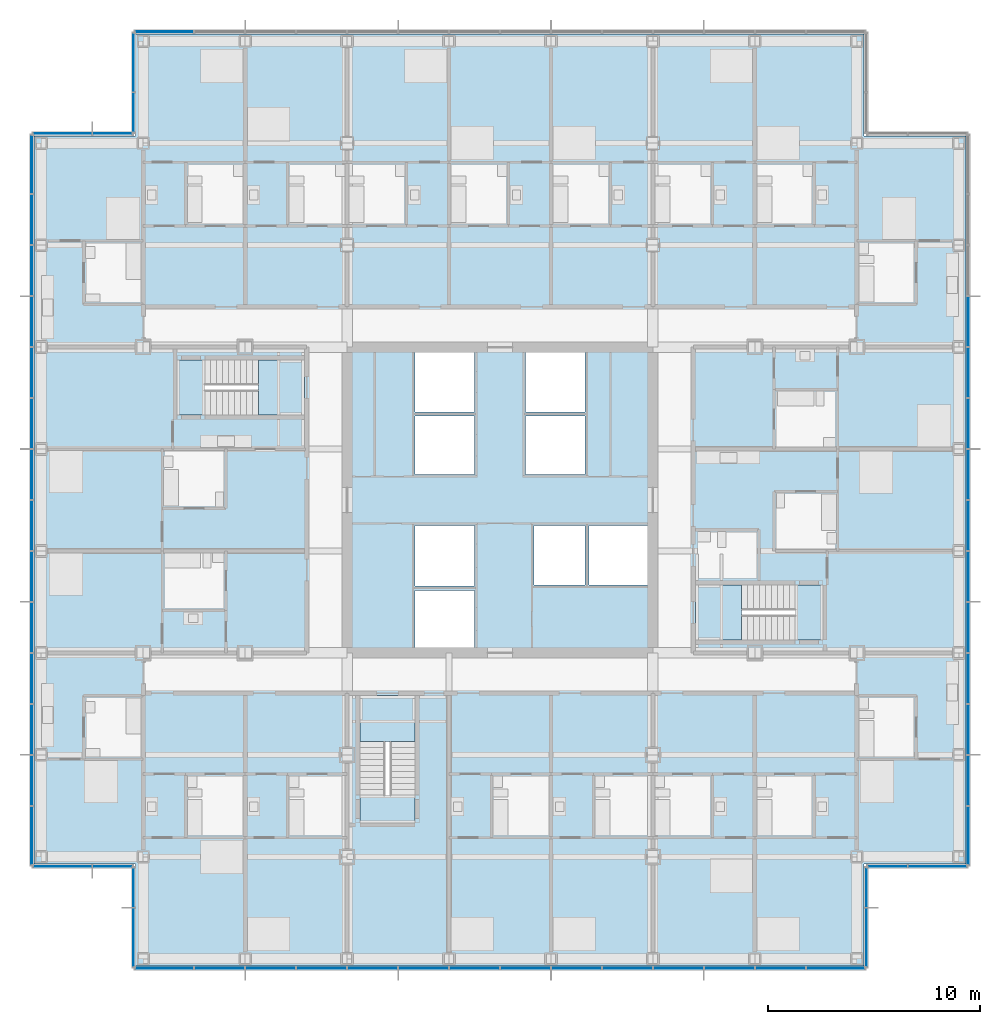
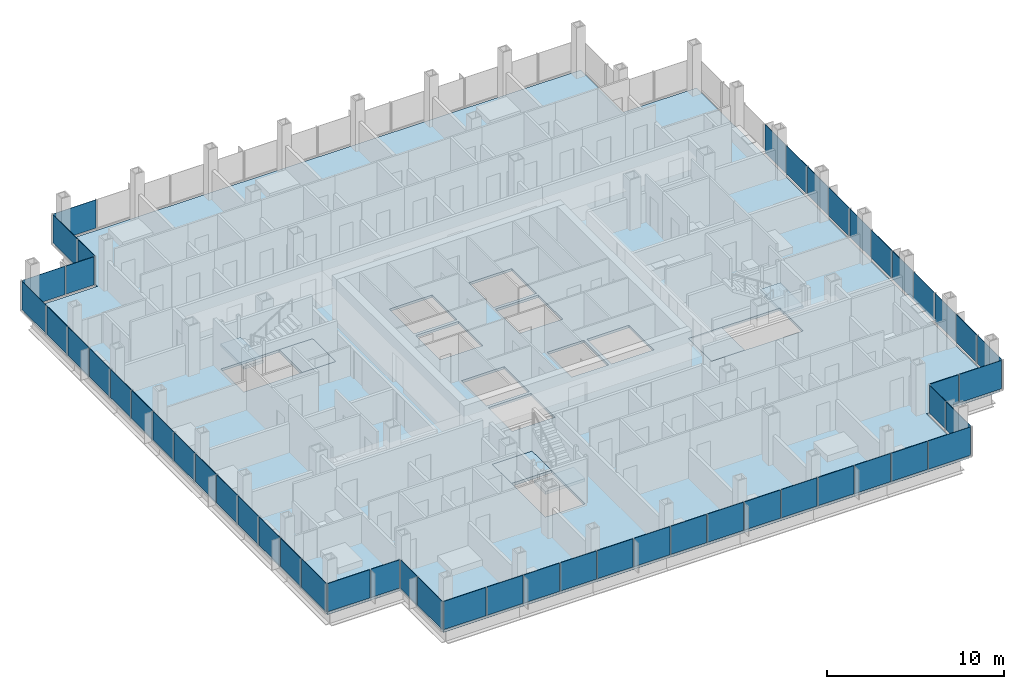
# One storey, part 12 of 22: 52 plates, 7 slabs, 13 elements without a shape of their own.
"""IFC4 building model written with IfcOpenShell, lengths in metres."""

from ifc_helpers import new_model, si_unit, direction, frame, origin, origin_2d, place, context, subcontext, project, spatial, polyline, rectangle, outline, extrude, material, layer, layer_set, type_object, element, aggregate, save


model = new_model("IFC4")

# Units and contexts
model_context = context("Model", 3, precision=1e-05, world=origin(), true_north=direction((0.0, 1.0)))
body_context = subcontext(model_context, "Body", "Model", "MODEL_VIEW")
ifc_project = project(units=[si_unit("LENGTHUNIT", "METRE"), si_unit("AREAUNIT", "SQUARE_METRE"), si_unit("VOLUMEUNIT", "CUBIC_METRE"), si_unit("PLANEANGLEUNIT", "RADIAN"), si_unit("MASSUNIT", "GRAM", prefix="KILO")], contexts=[model_context])

# Site, building, storey
site_placement = place(None, origin())
site = spatial("IfcSite", under=ifc_project, at=site_placement, CompositionType="ELEMENT")
building_placement = place(site_placement, origin())
building = spatial("IfcBuilding", under=site, at=building_placement, Name="Kvirike Care Tower", CompositionType="ELEMENT")
storey_placement = place(building_placement, frame((0.0, 0.0, 76.0)))
storey = spatial("IfcBuildingStorey", under=building, at=storey_placement, Name="L20", CompositionType="ELEMENT", Elevation=76.0)

# Slab
ifc_material_1 = material(Name="Concrete C35/45", Category="concrete")
ifc_layer_1 = layer(ifc_material_1, 0.169921875)
ifc_layer_set_1 = layer_set([ifc_layer_1], Name="FLOOR SLAB 170")
slab_type_1 = type_object("IfcSlabType", Name="FLOOR SLAB 170", PredefinedType="FLOOR", material=ifc_layer_set_1)
slab_1_placement = place(storey_placement, frame((0.0, 0.0, -0.169921875)))
element("IfcSlab", 1, at=slab_1_placement, inside=storey, type_object=slab_type_1, Name="Floor slab L20", PredefinedType="FLOOR", context=body_context, shape_type="SweptSolid", body=[
    extrude(outline(polyline([(-0.35009765625, 53.14990234375), (-0.35009765625, 18.85009765625), (4.449951171875, 18.85009765625), (4.449951171875, 14.050048828125), (38.75, 14.050048828125), (38.75, 18.85009765625), (43.550048828125, 18.85009765625), (43.550048828125, 53.14990234375), (38.75, 53.14990234375), (38.75, 57.949951171875), (4.449951171875, 57.949951171875), (4.449951171875, 53.14990234375), (-0.35009765625, 53.14990234375)]), holes=[polyline([(17.60009765625, 29.050048828125), (17.60009765625, 31.75), (20.39990234375, 31.75), (20.39990234375, 29.050048828125), (17.60009765625, 29.050048828125)]), polyline([(17.60009765625, 31.949951171875), (17.60009765625, 34.800048828125), (20.39990234375, 34.800048828125), (20.39990234375, 31.949951171875), (17.60009765625, 31.949951171875)]), polyline([(17.60009765625, 37.199951171875), (17.60009765625, 39.949951171875), (20.39990234375, 39.949951171875), (20.39990234375, 37.199951171875), (17.60009765625, 37.199951171875)]), polyline([(17.60009765625, 40.14990234375), (17.60009765625, 42.949951171875), (20.39990234375, 42.949951171875), (20.39990234375, 40.14990234375), (17.60009765625, 40.14990234375)]), polyline([(22.800048828125, 37.199951171875), (22.800048828125, 39.949951171875), (25.60009765625, 39.949951171875), (25.60009765625, 37.199951171875), (22.800048828125, 37.199951171875)]), polyline([(22.800048828125, 40.14990234375), (22.800048828125, 42.949951171875), (25.60009765625, 42.949951171875), (25.60009765625, 40.14990234375), (22.800048828125, 40.14990234375)]), polyline([(23.199951171875, 32.0), (23.199951171875, 34.800048828125), (25.60009765625, 34.800048828125), (25.60009765625, 32.0), (23.199951171875, 32.0)]), polyline([(25.800048828125, 32.0), (25.800048828125, 34.800048828125), (28.550048828125, 34.800048828125), (28.550048828125, 32.0), (25.800048828125, 32.0)]), polyline([(12.39990234375, 42.60009765625), (12.39990234375, 40.0), (6.39990234375, 40.0), (6.39990234375, 42.60009765625), (12.39990234375, 42.60009765625)]), polyline([(30.800048828125, 29.39990234375), (30.800048828125, 32.0), (36.800048828125, 32.0), (36.800048828125, 29.39990234375), (30.800048828125, 29.39990234375)]), polyline([(15.0, 26.800048828125), (17.60009765625, 26.800048828125), (17.60009765625, 20.800048828125), (15.0, 20.800048828125), (15.0, 26.800048828125)])]), origin(), (0.0, 0.0, 1.0), 0.169921875),
])

# Stair, slabs
ifc_material_2 = material(Name="Concrete C35/45", Category="concrete")
stair_type = type_object("IfcStairType", Name="STAIR 20 RISERS", PredefinedType="HALF_TURN_STAIR", material=ifc_material_2)
stair_1_placement = place(storey_placement, origin())
stair_1 = element("IfcStair", 2, at=stair_1_placement, inside=storey, type_object=stair_type, Name="Stair 1 L20", PredefinedType="HALF_TURN_STAIR")
ifc_material_3 = material(Name="Concrete C35/45", Category="concrete")
ifc_layer_2 = layer(ifc_material_3, 0.199951171875)
ifc_layer_set_2 = layer_set([ifc_layer_2], Name="STAIR LANDING 200")
slab_type_2 = type_object("IfcSlabType", Name="STAIR LANDING 200", PredefinedType="LANDING", material=ifc_layer_set_2)
slab_2_placement = place(storey_placement, frame((0.0, 0.0, -0.199951171875)))
slab_2 = element("IfcSlab", 3, at=slab_2_placement, type_object=slab_type_2, Name="Stair S1 floor landing L20", PredefinedType="LANDING", context=body_context, shape_type="SweptSolid", body=[
    extrude(outline(polyline([(10.219970703125, 42.60009765625), (10.219970703125, 40.0), (12.39990234375, 40.0), (12.39990234375, 42.60009765625), (10.219970703125, 42.60009765625)])), origin(), (0.0, 0.0, 1.0), 0.199951171875),
])
slab_3_placement = place(storey_placement, frame((0.0, 0.0, 1.550048828125)))
slab_3 = element("IfcSlab", 4, at=slab_3_placement, type_object=slab_type_2, Name="Stair S1 half landing L20-L21", PredefinedType="LANDING", context=body_context, shape_type="SweptSolid", body=[
    extrude(outline(polyline([(6.39990234375, 42.60009765625), (6.39990234375, 40.0), (7.699951171875, 40.0), (7.699951171875, 42.60009765625), (6.39990234375, 42.60009765625)])), origin(), (0.0, 0.0, 1.0), 0.199951171875),
])
aggregate(stair_1, [slab_2, slab_3])

stair_2_placement = place(storey_placement, origin())
stair_2 = element("IfcStair", 5, at=stair_2_placement, inside=storey, type_object=stair_type, Name="Stair 2 L20", PredefinedType="HALF_TURN_STAIR")
slab_4_placement = place(storey_placement, frame((0.0, 0.0, -0.199951171875)))
slab_4 = element("IfcSlab", 6, at=slab_4_placement, type_object=slab_type_2, Name="Stair S2 floor landing L20", PredefinedType="LANDING", context=body_context, shape_type="SweptSolid", body=[
    extrude(outline(polyline([(32.97998046875, 29.39990234375), (32.97998046875, 32.0), (30.800048828125, 32.0), (30.800048828125, 29.39990234375), (32.97998046875, 29.39990234375)])), origin(), (0.0, 0.0, 1.0), 0.199951171875),
])
slab_5_placement = place(storey_placement, frame((0.0, 0.0, 1.550048828125)))
slab_5 = element("IfcSlab", 7, at=slab_5_placement, type_object=slab_type_2, Name="Stair S2 half landing L20-L21", PredefinedType="LANDING", context=body_context, shape_type="SweptSolid", body=[
    extrude(outline(polyline([(36.800048828125, 29.39990234375), (36.800048828125, 32.0), (35.5, 32.0), (35.5, 29.39990234375), (36.800048828125, 29.39990234375)])), origin(), (0.0, 0.0, 1.0), 0.199951171875),
])
aggregate(stair_2, [slab_4, slab_5])

stair_3_placement = place(storey_placement, origin())
stair_3 = element("IfcStair", 8, at=stair_3_placement, inside=storey, type_object=stair_type, Name="Stair 5 L20", PredefinedType="HALF_TURN_STAIR")
slab_6_placement = place(storey_placement, frame((0.0, 0.0, -0.199951171875)))
slab_6 = element("IfcSlab", 9, at=slab_6_placement, type_object=slab_type_2, Name="Stair S5 floor landing L20", PredefinedType="LANDING", context=body_context, shape_type="SweptSolid", body=[
    extrude(outline(polyline([(15.0, 24.6201171875), (17.60009765625, 24.6201171875), (17.60009765625, 26.800048828125), (15.0, 26.800048828125), (15.0, 24.6201171875)])), origin(), (0.0, 0.0, 1.0), 0.199951171875),
])
slab_7_placement = place(storey_placement, frame((0.0, 0.0, 1.550048828125)))
slab_7 = element("IfcSlab", 10, at=slab_7_placement, type_object=slab_type_2, Name="Stair S5 half landing L20-L21", PredefinedType="LANDING", context=body_context, shape_type="SweptSolid", body=[
    extrude(outline(polyline([(15.0, 20.800048828125), (17.60009765625, 20.800048828125), (17.60009765625, 22.10009765625), (15.0, 22.10009765625), (15.0, 20.800048828125)])), origin(), (0.0, 0.0, 1.0), 0.199951171875),
])
aggregate(stair_3, [slab_6, slab_7])

# Curtain wall, plates
ifc_material_4 = material(Name="Anodised aluminium stick system", Category="aluminium")
curtain_wall_type = type_object("IfcCurtainWallType", Name="CW-A STICK CURTAIN WALL", PredefinedType="NOTDEFINED", material=ifc_material_4)
curtain_wall_1_placement = place(storey_placement, origin())
curtain_wall_1 = element("IfcCurtainWall", 11, at=curtain_wall_1_placement, inside=storey, type_object=curtain_wall_type, Name="Curtain wall L20 face 1", PredefinedType="NOTDEFINED")
ifc_material_5 = material(Name="Tinted double glazed unit", Category="glass")
ifc_layer_3 = layer(ifc_material_5, 0.031982421875)
ifc_layer_set_3 = layer_set([ifc_layer_3], Name="TINTED VISION PANEL 32")
plate_type = type_object("IfcPlateType", Name="TINTED VISION PANEL 32", PredefinedType="CURTAIN_PANEL", material=ifc_layer_set_3)
plate_1_placement = place(storey_placement, frame((-0.449951171875, 51.808837890625, 0.10009765625), z_axis=(0.0, 0.0, 1.0), x_axis=(0.0, -1.0, 0.0)))
plate_1 = element("IfcPlate", 12, at=plate_1_placement, type_object=plate_type, Name="CW-A panel L20 face 1.1", PredefinedType="CURTAIN_PANEL", context=body_context, shape_type="SweptSolid", body=[
    extrude(rectangle(XDim=2.75244140625, YDim=0.031982421875, at=origin_2d()), origin(), (0.0, 0.0, 1.0), 1.949951171875),
])
plate_2_placement = place(storey_placement, frame((-0.449951171875, 49.199951171875, 0.10009765625), z_axis=(0.0, 0.0, 1.0), x_axis=(0.0, -1.0, 0.0)))
plate_2 = element("IfcPlate", 13, at=plate_2_placement, type_object=plate_type, Name="CW-A panel L20 face 1.2", PredefinedType="CURTAIN_PANEL", context=body_context, shape_type="SweptSolid", body=[
    extrude(rectangle(XDim=2.3349609375, YDim=0.031982421875, at=origin_2d()), origin(), (0.0, 0.0, 1.0), 1.949951171875),
])
plate_3_placement = place(storey_placement, frame((-0.449951171875, 46.800048828125, 0.10009765625), z_axis=(0.0, 0.0, 1.0), x_axis=(0.0, -1.0, 0.0)))
plate_3 = element("IfcPlate", 14, at=plate_3_placement, type_object=plate_type, Name="CW-A panel L20 face 1.3", PredefinedType="CURTAIN_PANEL", context=body_context, shape_type="SweptSolid", body=[
    extrude(rectangle(XDim=2.3349609375, YDim=0.031982421875, at=origin_2d()), origin(), (0.0, 0.0, 1.0), 1.949951171875),
])
plate_4_placement = place(storey_placement, frame((-0.449951171875, 44.39990234375, 0.10009765625), z_axis=(0.0, 0.0, 1.0), x_axis=(0.0, -1.0, 0.0)))
plate_4 = element("IfcPlate", 15, at=plate_4_placement, type_object=plate_type, Name="CW-A panel L20 face 1.4", PredefinedType="CURTAIN_PANEL", context=body_context, shape_type="SweptSolid", body=[
    extrude(rectangle(XDim=2.3349609375, YDim=0.031982421875, at=origin_2d()), origin(), (0.0, 0.0, 1.0), 1.949951171875),
])
plate_5_placement = place(storey_placement, frame((-0.449951171875, 42.0, 0.10009765625), z_axis=(0.0, 0.0, 1.0), x_axis=(0.0, -1.0, 0.0)))
plate_5 = element("IfcPlate", 16, at=plate_5_placement, type_object=plate_type, Name="CW-A panel L20 face 1.5", PredefinedType="CURTAIN_PANEL", context=body_context, shape_type="SweptSolid", body=[
    extrude(rectangle(XDim=2.3349609375, YDim=0.031982421875, at=origin_2d()), origin(), (0.0, 0.0, 1.0), 1.949951171875),
])
plate_6_placement = place(storey_placement, frame((-0.449951171875, 39.60009765625, 0.10009765625), z_axis=(0.0, 0.0, 1.0), x_axis=(0.0, -1.0, 0.0)))
plate_6 = element("IfcPlate", 17, at=plate_6_placement, type_object=plate_type, Name="CW-A panel L20 face 1.6", PredefinedType="CURTAIN_PANEL", context=body_context, shape_type="SweptSolid", body=[
    extrude(rectangle(XDim=2.3349609375, YDim=0.031982421875, at=origin_2d()), origin(), (0.0, 0.0, 1.0), 1.949951171875),
])
plate_7_placement = place(storey_placement, frame((-0.449951171875, 37.199951171875, 0.10009765625), z_axis=(0.0, 0.0, 1.0), x_axis=(0.0, -1.0, 0.0)))
plate_7 = element("IfcPlate", 18, at=plate_7_placement, type_object=plate_type, Name="CW-A panel L20 face 1.7", PredefinedType="CURTAIN_PANEL", context=body_context, shape_type="SweptSolid", body=[
    extrude(rectangle(XDim=2.3349609375, YDim=0.031982421875, at=origin_2d()), origin(), (0.0, 0.0, 1.0), 1.949951171875),
])
plate_8_placement = place(storey_placement, frame((-0.449951171875, 34.800048828125, 0.10009765625), z_axis=(0.0, 0.0, 1.0), x_axis=(0.0, -1.0, 0.0)))
plate_8 = element("IfcPlate", 19, at=plate_8_placement, type_object=plate_type, Name="CW-A panel L20 face 1.8", PredefinedType="CURTAIN_PANEL", context=body_context, shape_type="SweptSolid", body=[
    extrude(rectangle(XDim=2.3349609375, YDim=0.031982421875, at=origin_2d()), origin(), (0.0, 0.0, 1.0), 1.949951171875),
])
plate_9_placement = place(storey_placement, frame((-0.449951171875, 32.39990234375, 0.10009765625), z_axis=(0.0, 0.0, 1.0), x_axis=(0.0, -1.0, 0.0)))
plate_9 = element("IfcPlate", 20, at=plate_9_placement, type_object=plate_type, Name="CW-A panel L20 face 1.9", PredefinedType="CURTAIN_PANEL", context=body_context, shape_type="SweptSolid", body=[
    extrude(rectangle(XDim=2.3349609375, YDim=0.031982421875, at=origin_2d()), origin(), (0.0, 0.0, 1.0), 1.949951171875),
])
plate_10_placement = place(storey_placement, frame((-0.449951171875, 30.0, 0.10009765625), z_axis=(0.0, 0.0, 1.0), x_axis=(0.0, -1.0, 0.0)))
plate_10 = element("IfcPlate", 21, at=plate_10_placement, type_object=plate_type, Name="CW-A panel L20 face 1.10", PredefinedType="CURTAIN_PANEL", context=body_context, shape_type="SweptSolid", body=[
    extrude(rectangle(XDim=2.3349609375, YDim=0.031982421875, at=origin_2d()), origin(), (0.0, 0.0, 1.0), 1.949951171875),
])
plate_11_placement = place(storey_placement, frame((-0.449951171875, 27.60009765625, 0.10009765625), z_axis=(0.0, 0.0, 1.0), x_axis=(0.0, -1.0, 0.0)))
plate_11 = element("IfcPlate", 22, at=plate_11_placement, type_object=plate_type, Name="CW-A panel L20 face 1.11", PredefinedType="CURTAIN_PANEL", context=body_context, shape_type="SweptSolid", body=[
    extrude(rectangle(XDim=2.3349609375, YDim=0.031982421875, at=origin_2d()), origin(), (0.0, 0.0, 1.0), 1.949951171875),
])
plate_12_placement = place(storey_placement, frame((-0.449951171875, 25.199951171875, 0.10009765625), z_axis=(0.0, 0.0, 1.0), x_axis=(0.0, -1.0, 0.0)))
plate_12 = element("IfcPlate", 23, at=plate_12_placement, type_object=plate_type, Name="CW-A panel L20 face 1.12", PredefinedType="CURTAIN_PANEL", context=body_context, shape_type="SweptSolid", body=[
    extrude(rectangle(XDim=2.3349609375, YDim=0.031982421875, at=origin_2d()), origin(), (0.0, 0.0, 1.0), 1.949951171875),
])
plate_13_placement = place(storey_placement, frame((-0.449951171875, 22.800048828125, 0.10009765625), z_axis=(0.0, 0.0, 1.0), x_axis=(0.0, -1.0, 0.0)))
plate_13 = element("IfcPlate", 24, at=plate_13_placement, type_object=plate_type, Name="CW-A panel L20 face 1.13", PredefinedType="CURTAIN_PANEL", context=body_context, shape_type="SweptSolid", body=[
    extrude(rectangle(XDim=2.3349609375, YDim=0.031982421875, at=origin_2d()), origin(), (0.0, 0.0, 1.0), 1.949951171875),
])
plate_14_placement = place(storey_placement, frame((-0.449951171875, 20.191162109375, 0.10009765625), z_axis=(0.0, 0.0, 1.0), x_axis=(0.0, -1.0, 0.0)))
plate_14 = element("IfcPlate", 25, at=plate_14_placement, type_object=plate_type, Name="CW-A panel L20 face 1.14", PredefinedType="CURTAIN_PANEL", context=body_context, shape_type="SweptSolid", body=[
    extrude(rectangle(XDim=2.75244140625, YDim=0.031982421875, at=origin_2d()), origin(), (0.0, 0.0, 1.0), 1.949951171875),
])
aggregate(curtain_wall_1, [plate_1, plate_2, plate_3, plate_4, plate_5, plate_6, plate_7, plate_8, plate_9, plate_10, plate_11, plate_12, plate_13, plate_14])

curtain_wall_2_placement = place(storey_placement, origin())
curtain_wall_2 = element("IfcCurtainWall", 26, at=curtain_wall_2_placement, inside=storey, type_object=curtain_wall_type, Name="Curtain wall L20 face 2", PredefinedType="NOTDEFINED")
plate_15_placement = place(storey_placement, frame((0.9912109375, 18.75, 0.10009765625), z_axis=(0.0, 0.0, 1.0), x_axis=(1.0, 0.0, 0.0)))
plate_15 = element("IfcPlate", 27, at=plate_15_placement, type_object=plate_type, Name="CW-A panel L20 face 2.1", PredefinedType="CURTAIN_PANEL", context=body_context, shape_type="SweptSolid", body=[
    extrude(rectangle(XDim=2.75244140625, YDim=0.031982421875, at=origin_2d()), origin(), (0.0, 0.0, 1.0), 1.949951171875),
])
plate_16_placement = place(storey_placement, frame((3.358642578125, 18.75, 0.10009765625), z_axis=(0.0, 0.0, 1.0), x_axis=(1.0, 0.0, 0.0)))
plate_16 = element("IfcPlate", 28, at=plate_16_placement, type_object=plate_type, Name="CW-A panel L20 face 2.2", PredefinedType="CURTAIN_PANEL", context=body_context, shape_type="SweptSolid", body=[
    extrude(rectangle(XDim=1.8525390625, YDim=0.031982421875, at=origin_2d()), origin(), (0.0, 0.0, 1.0), 1.949951171875),
])
aggregate(curtain_wall_2, [plate_15, plate_16])

curtain_wall_3_placement = place(storey_placement, origin())
curtain_wall_3 = element("IfcCurtainWall", 29, at=curtain_wall_3_placement, inside=storey, type_object=curtain_wall_type, Name="Curtain wall L20 face 3", PredefinedType="NOTDEFINED")
plate_17_placement = place(storey_placement, frame((4.35009765625, 17.7587890625, 0.10009765625), z_axis=(0.0, 0.0, 1.0), x_axis=(0.0, -1.0, 0.0)))
plate_17 = element("IfcPlate", 30, at=plate_17_placement, type_object=plate_type, Name="CW-A panel L20 face 3.1", PredefinedType="CURTAIN_PANEL", context=body_context, shape_type="SweptSolid", body=[
    extrude(rectangle(XDim=1.8525390625, YDim=0.031982421875, at=origin_2d()), origin(), (0.0, 0.0, 1.0), 1.949951171875),
])
plate_18_placement = place(storey_placement, frame((4.35009765625, 15.391357421875, 0.10009765625), z_axis=(0.0, 0.0, 1.0), x_axis=(0.0, -1.0, 0.0)))
plate_18 = element("IfcPlate", 31, at=plate_18_placement, type_object=plate_type, Name="CW-A panel L20 face 3.2", PredefinedType="CURTAIN_PANEL", context=body_context, shape_type="SweptSolid", body=[
    extrude(rectangle(XDim=2.75244140625, YDim=0.031982421875, at=origin_2d()), origin(), (0.0, 0.0, 1.0), 1.949951171875),
])
aggregate(curtain_wall_3, [plate_17, plate_18])

curtain_wall_4_placement = place(storey_placement, origin())
curtain_wall_4 = element("IfcCurtainWall", 32, at=curtain_wall_4_placement, inside=storey, type_object=curtain_wall_type, Name="Curtain wall L20 face 4", PredefinedType="NOTDEFINED")
plate_19_placement = place(storey_placement, frame((5.791259765625, 13.949951171875, 0.10009765625), z_axis=(0.0, 0.0, 1.0), x_axis=(1.0, 0.0, 0.0)))
plate_19 = element("IfcPlate", 33, at=plate_19_placement, type_object=plate_type, Name="CW-A panel L20 face 4.1", PredefinedType="CURTAIN_PANEL", context=body_context, shape_type="SweptSolid", body=[
    extrude(rectangle(XDim=2.75244140625, YDim=0.031982421875, at=origin_2d()), origin(), (0.0, 0.0, 1.0), 1.949951171875),
])
plate_20_placement = place(storey_placement, frame((8.39990234375, 13.949951171875, 0.10009765625), z_axis=(0.0, 0.0, 1.0), x_axis=(1.0, 0.0, 0.0)))
plate_20 = element("IfcPlate", 34, at=plate_20_placement, type_object=plate_type, Name="CW-A panel L20 face 4.2", PredefinedType="CURTAIN_PANEL", context=body_context, shape_type="SweptSolid", body=[
    extrude(rectangle(XDim=2.3349609375, YDim=0.031982421875, at=origin_2d()), origin(), (0.0, 0.0, 1.0), 1.949951171875),
])
plate_21_placement = place(storey_placement, frame((10.800048828125, 13.949951171875, 0.10009765625), z_axis=(0.0, 0.0, 1.0), x_axis=(1.0, 0.0, 0.0)))
plate_21 = element("IfcPlate", 35, at=plate_21_placement, type_object=plate_type, Name="CW-A panel L20 face 4.3", PredefinedType="CURTAIN_PANEL", context=body_context, shape_type="SweptSolid", body=[
    extrude(rectangle(XDim=2.3349609375, YDim=0.031982421875, at=origin_2d()), origin(), (0.0, 0.0, 1.0), 1.949951171875),
])
plate_22_placement = place(storey_placement, frame((13.199951171875, 13.949951171875, 0.10009765625), z_axis=(0.0, 0.0, 1.0), x_axis=(1.0, 0.0, 0.0)))
plate_22 = element("IfcPlate", 36, at=plate_22_placement, type_object=plate_type, Name="CW-A panel L20 face 4.4", PredefinedType="CURTAIN_PANEL", context=body_context, shape_type="SweptSolid", body=[
    extrude(rectangle(XDim=2.3349609375, YDim=0.031982421875, at=origin_2d()), origin(), (0.0, 0.0, 1.0), 1.949951171875),
])
plate_23_placement = place(storey_placement, frame((15.60009765625, 13.949951171875, 0.10009765625), z_axis=(0.0, 0.0, 1.0), x_axis=(1.0, 0.0, 0.0)))
plate_23 = element("IfcPlate", 37, at=plate_23_placement, type_object=plate_type, Name="CW-A panel L20 face 4.5", PredefinedType="CURTAIN_PANEL", context=body_context, shape_type="SweptSolid", body=[
    extrude(rectangle(XDim=2.3349609375, YDim=0.031982421875, at=origin_2d()), origin(), (0.0, 0.0, 1.0), 1.949951171875),
])
plate_24_placement = place(storey_placement, frame((18.0, 13.949951171875, 0.10009765625), z_axis=(0.0, 0.0, 1.0), x_axis=(1.0, 0.0, 0.0)))
plate_24 = element("IfcPlate", 38, at=plate_24_placement, type_object=plate_type, Name="CW-A panel L20 face 4.6", PredefinedType="CURTAIN_PANEL", context=body_context, shape_type="SweptSolid", body=[
    extrude(rectangle(XDim=2.3349609375, YDim=0.031982421875, at=origin_2d()), origin(), (0.0, 0.0, 1.0), 1.949951171875),
])
plate_25_placement = place(storey_placement, frame((20.39990234375, 13.949951171875, 0.10009765625), z_axis=(0.0, 0.0, 1.0), x_axis=(1.0, 0.0, 0.0)))
plate_25 = element("IfcPlate", 39, at=plate_25_placement, type_object=plate_type, Name="CW-A panel L20 face 4.7", PredefinedType="CURTAIN_PANEL", context=body_context, shape_type="SweptSolid", body=[
    extrude(rectangle(XDim=2.3349609375, YDim=0.031982421875, at=origin_2d()), origin(), (0.0, 0.0, 1.0), 1.949951171875),
])
plate_26_placement = place(storey_placement, frame((22.800048828125, 13.949951171875, 0.10009765625), z_axis=(0.0, 0.0, 1.0), x_axis=(1.0, 0.0, 0.0)))
plate_26 = element("IfcPlate", 40, at=plate_26_placement, type_object=plate_type, Name="CW-A panel L20 face 4.8", PredefinedType="CURTAIN_PANEL", context=body_context, shape_type="SweptSolid", body=[
    extrude(rectangle(XDim=2.3349609375, YDim=0.031982421875, at=origin_2d()), origin(), (0.0, 0.0, 1.0), 1.949951171875),
])
plate_27_placement = place(storey_placement, frame((25.199951171875, 13.949951171875, 0.10009765625), z_axis=(0.0, 0.0, 1.0), x_axis=(1.0, 0.0, 0.0)))
plate_27 = element("IfcPlate", 41, at=plate_27_placement, type_object=plate_type, Name="CW-A panel L20 face 4.9", PredefinedType="CURTAIN_PANEL", context=body_context, shape_type="SweptSolid", body=[
    extrude(rectangle(XDim=2.3349609375, YDim=0.031982421875, at=origin_2d()), origin(), (0.0, 0.0, 1.0), 1.949951171875),
])
plate_28_placement = place(storey_placement, frame((27.60009765625, 13.949951171875, 0.10009765625), z_axis=(0.0, 0.0, 1.0), x_axis=(1.0, 0.0, 0.0)))
plate_28 = element("IfcPlate", 42, at=plate_28_placement, type_object=plate_type, Name="CW-A panel L20 face 4.10", PredefinedType="CURTAIN_PANEL", context=body_context, shape_type="SweptSolid", body=[
    extrude(rectangle(XDim=2.3349609375, YDim=0.031982421875, at=origin_2d()), origin(), (0.0, 0.0, 1.0), 1.949951171875),
])
plate_29_placement = place(storey_placement, frame((30.0, 13.949951171875, 0.10009765625), z_axis=(0.0, 0.0, 1.0), x_axis=(1.0, 0.0, 0.0)))
plate_29 = element("IfcPlate", 43, at=plate_29_placement, type_object=plate_type, Name="CW-A panel L20 face 4.11", PredefinedType="CURTAIN_PANEL", context=body_context, shape_type="SweptSolid", body=[
    extrude(rectangle(XDim=2.3349609375, YDim=0.031982421875, at=origin_2d()), origin(), (0.0, 0.0, 1.0), 1.949951171875),
])
plate_30_placement = place(storey_placement, frame((32.39990234375, 13.949951171875, 0.10009765625), z_axis=(0.0, 0.0, 1.0), x_axis=(1.0, 0.0, 0.0)))
plate_30 = element("IfcPlate", 44, at=plate_30_placement, type_object=plate_type, Name="CW-A panel L20 face 4.12", PredefinedType="CURTAIN_PANEL", context=body_context, shape_type="SweptSolid", body=[
    extrude(rectangle(XDim=2.3349609375, YDim=0.031982421875, at=origin_2d()), origin(), (0.0, 0.0, 1.0), 1.949951171875),
])
plate_31_placement = place(storey_placement, frame((34.800048828125, 13.949951171875, 0.10009765625), z_axis=(0.0, 0.0, 1.0), x_axis=(1.0, 0.0, 0.0)))
plate_31 = element("IfcPlate", 45, at=plate_31_placement, type_object=plate_type, Name="CW-A panel L20 face 4.13", PredefinedType="CURTAIN_PANEL", context=body_context, shape_type="SweptSolid", body=[
    extrude(rectangle(XDim=2.3349609375, YDim=0.031982421875, at=origin_2d()), origin(), (0.0, 0.0, 1.0), 1.949951171875),
])
plate_32_placement = place(storey_placement, frame((37.40869140625, 13.949951171875, 0.10009765625), z_axis=(0.0, 0.0, 1.0), x_axis=(1.0, 0.0, 0.0)))
plate_32 = element("IfcPlate", 46, at=plate_32_placement, type_object=plate_type, Name="CW-A panel L20 face 4.14", PredefinedType="CURTAIN_PANEL", context=body_context, shape_type="SweptSolid", body=[
    extrude(rectangle(XDim=2.75244140625, YDim=0.031982421875, at=origin_2d()), origin(), (0.0, 0.0, 1.0), 1.949951171875),
])
aggregate(curtain_wall_4, [plate_19, plate_20, plate_21, plate_22, plate_23, plate_24, plate_25, plate_26, plate_27, plate_28, plate_29, plate_30, plate_31, plate_32])

curtain_wall_5_placement = place(storey_placement, origin())
curtain_wall_5 = element("IfcCurtainWall", 47, at=curtain_wall_5_placement, inside=storey, type_object=curtain_wall_type, Name="Curtain wall L20 face 5", PredefinedType="NOTDEFINED")
plate_33_placement = place(storey_placement, frame((38.85009765625, 15.391357421875, 0.10009765625), z_axis=(0.0, 0.0, 1.0), x_axis=(0.0, 1.0, 0.0)))
plate_33 = element("IfcPlate", 48, at=plate_33_placement, type_object=plate_type, Name="CW-A panel L20 face 5.1", PredefinedType="CURTAIN_PANEL", context=body_context, shape_type="SweptSolid", body=[
    extrude(rectangle(XDim=2.75244140625, YDim=0.031982421875, at=origin_2d()), origin(), (0.0, 0.0, 1.0), 1.949951171875),
])
plate_34_placement = place(storey_placement, frame((38.85009765625, 17.7587890625, 0.10009765625), z_axis=(0.0, 0.0, 1.0), x_axis=(0.0, 1.0, 0.0)))
plate_34 = element("IfcPlate", 49, at=plate_34_placement, type_object=plate_type, Name="CW-A panel L20 face 5.2", PredefinedType="CURTAIN_PANEL", context=body_context, shape_type="SweptSolid", body=[
    extrude(rectangle(XDim=1.8525390625, YDim=0.031982421875, at=origin_2d()), origin(), (0.0, 0.0, 1.0), 1.949951171875),
])
aggregate(curtain_wall_5, [plate_33, plate_34])

curtain_wall_6_placement = place(storey_placement, origin())
curtain_wall_6 = element("IfcCurtainWall", 50, at=curtain_wall_6_placement, inside=storey, type_object=curtain_wall_type, Name="Curtain wall L20 face 6", PredefinedType="NOTDEFINED")
plate_35_placement = place(storey_placement, frame((39.84130859375, 18.75, 0.10009765625), z_axis=(0.0, 0.0, 1.0), x_axis=(1.0, 0.0, 0.0)))
plate_35 = element("IfcPlate", 51, at=plate_35_placement, type_object=plate_type, Name="CW-A panel L20 face 6.1", PredefinedType="CURTAIN_PANEL", context=body_context, shape_type="SweptSolid", body=[
    extrude(rectangle(XDim=1.8525390625, YDim=0.031982421875, at=origin_2d()), origin(), (0.0, 0.0, 1.0), 1.949951171875),
])
plate_36_placement = place(storey_placement, frame((42.208740234375, 18.75, 0.10009765625), z_axis=(0.0, 0.0, 1.0), x_axis=(1.0, 0.0, 0.0)))
plate_36 = element("IfcPlate", 52, at=plate_36_placement, type_object=plate_type, Name="CW-A panel L20 face 6.2", PredefinedType="CURTAIN_PANEL", context=body_context, shape_type="SweptSolid", body=[
    extrude(rectangle(XDim=2.75244140625, YDim=0.031982421875, at=origin_2d()), origin(), (0.0, 0.0, 1.0), 1.949951171875),
])
aggregate(curtain_wall_6, [plate_35, plate_36])

curtain_wall_7_placement = place(storey_placement, origin())
curtain_wall_7 = element("IfcCurtainWall", 53, at=curtain_wall_7_placement, inside=storey, type_object=curtain_wall_type, Name="Curtain wall L20 face 7", PredefinedType="NOTDEFINED")
plate_37_placement = place(storey_placement, frame((43.64990234375, 20.191162109375, 0.10009765625), z_axis=(0.0, 0.0, 1.0), x_axis=(0.0, 1.0, 0.0)))
plate_37 = element("IfcPlate", 54, at=plate_37_placement, type_object=plate_type, Name="CW-A panel L20 face 7.1", PredefinedType="CURTAIN_PANEL", context=body_context, shape_type="SweptSolid", body=[
    extrude(rectangle(XDim=2.75244140625, YDim=0.031982421875, at=origin_2d()), origin(), (0.0, 0.0, 1.0), 1.949951171875),
])
plate_38_placement = place(storey_placement, frame((43.64990234375, 22.800048828125, 0.10009765625), z_axis=(0.0, 0.0, 1.0), x_axis=(0.0, 1.0, 0.0)))
plate_38 = element("IfcPlate", 55, at=plate_38_placement, type_object=plate_type, Name="CW-A panel L20 face 7.2", PredefinedType="CURTAIN_PANEL", context=body_context, shape_type="SweptSolid", body=[
    extrude(rectangle(XDim=2.3349609375, YDim=0.031982421875, at=origin_2d()), origin(), (0.0, 0.0, 1.0), 1.949951171875),
])
plate_39_placement = place(storey_placement, frame((43.64990234375, 25.199951171875, 0.10009765625), z_axis=(0.0, 0.0, 1.0), x_axis=(0.0, 1.0, 0.0)))
plate_39 = element("IfcPlate", 56, at=plate_39_placement, type_object=plate_type, Name="CW-A panel L20 face 7.3", PredefinedType="CURTAIN_PANEL", context=body_context, shape_type="SweptSolid", body=[
    extrude(rectangle(XDim=2.3349609375, YDim=0.031982421875, at=origin_2d()), origin(), (0.0, 0.0, 1.0), 1.949951171875),
])
plate_40_placement = place(storey_placement, frame((43.64990234375, 27.60009765625, 0.10009765625), z_axis=(0.0, 0.0, 1.0), x_axis=(0.0, 1.0, 0.0)))
plate_40 = element("IfcPlate", 57, at=plate_40_placement, type_object=plate_type, Name="CW-A panel L20 face 7.4", PredefinedType="CURTAIN_PANEL", context=body_context, shape_type="SweptSolid", body=[
    extrude(rectangle(XDim=2.3349609375, YDim=0.031982421875, at=origin_2d()), origin(), (0.0, 0.0, 1.0), 1.949951171875),
])
plate_41_placement = place(storey_placement, frame((43.64990234375, 30.0, 0.10009765625), z_axis=(0.0, 0.0, 1.0), x_axis=(0.0, 1.0, 0.0)))
plate_41 = element("IfcPlate", 58, at=plate_41_placement, type_object=plate_type, Name="CW-A panel L20 face 7.5", PredefinedType="CURTAIN_PANEL", context=body_context, shape_type="SweptSolid", body=[
    extrude(rectangle(XDim=2.3349609375, YDim=0.031982421875, at=origin_2d()), origin(), (0.0, 0.0, 1.0), 1.949951171875),
])
plate_42_placement = place(storey_placement, frame((43.64990234375, 32.39990234375, 0.10009765625), z_axis=(0.0, 0.0, 1.0), x_axis=(0.0, 1.0, 0.0)))
plate_42 = element("IfcPlate", 59, at=plate_42_placement, type_object=plate_type, Name="CW-A panel L20 face 7.6", PredefinedType="CURTAIN_PANEL", context=body_context, shape_type="SweptSolid", body=[
    extrude(rectangle(XDim=2.3349609375, YDim=0.031982421875, at=origin_2d()), origin(), (0.0, 0.0, 1.0), 1.949951171875),
])
plate_43_placement = place(storey_placement, frame((43.64990234375, 34.800048828125, 0.10009765625), z_axis=(0.0, 0.0, 1.0), x_axis=(0.0, 1.0, 0.0)))
plate_43 = element("IfcPlate", 60, at=plate_43_placement, type_object=plate_type, Name="CW-A panel L20 face 7.7", PredefinedType="CURTAIN_PANEL", context=body_context, shape_type="SweptSolid", body=[
    extrude(rectangle(XDim=2.3349609375, YDim=0.031982421875, at=origin_2d()), origin(), (0.0, 0.0, 1.0), 1.949951171875),
])
plate_44_placement = place(storey_placement, frame((43.64990234375, 37.199951171875, 0.10009765625), z_axis=(0.0, 0.0, 1.0), x_axis=(0.0, 1.0, 0.0)))
plate_44 = element("IfcPlate", 61, at=plate_44_placement, type_object=plate_type, Name="CW-A panel L20 face 7.8", PredefinedType="CURTAIN_PANEL", context=body_context, shape_type="SweptSolid", body=[
    extrude(rectangle(XDim=2.3349609375, YDim=0.031982421875, at=origin_2d()), origin(), (0.0, 0.0, 1.0), 1.949951171875),
])
plate_45_placement = place(storey_placement, frame((43.64990234375, 39.60009765625, 0.10009765625), z_axis=(0.0, 0.0, 1.0), x_axis=(0.0, 1.0, 0.0)))
plate_45 = element("IfcPlate", 62, at=plate_45_placement, type_object=plate_type, Name="CW-A panel L20 face 7.9", PredefinedType="CURTAIN_PANEL", context=body_context, shape_type="SweptSolid", body=[
    extrude(rectangle(XDim=2.3349609375, YDim=0.031982421875, at=origin_2d()), origin(), (0.0, 0.0, 1.0), 1.949951171875),
])
plate_46_placement = place(storey_placement, frame((43.64990234375, 42.0, 0.10009765625), z_axis=(0.0, 0.0, 1.0), x_axis=(0.0, 1.0, 0.0)))
plate_46 = element("IfcPlate", 63, at=plate_46_placement, type_object=plate_type, Name="CW-A panel L20 face 7.10", PredefinedType="CURTAIN_PANEL", context=body_context, shape_type="SweptSolid", body=[
    extrude(rectangle(XDim=2.3349609375, YDim=0.031982421875, at=origin_2d()), origin(), (0.0, 0.0, 1.0), 1.949951171875),
])
plate_47_placement = place(storey_placement, frame((43.64990234375, 44.39990234375, 0.10009765625), z_axis=(0.0, 0.0, 1.0), x_axis=(0.0, 1.0, 0.0)))
plate_47 = element("IfcPlate", 64, at=plate_47_placement, type_object=plate_type, Name="CW-A panel L20 face 7.11", PredefinedType="CURTAIN_PANEL", context=body_context, shape_type="SweptSolid", body=[
    extrude(rectangle(XDim=2.3349609375, YDim=0.031982421875, at=origin_2d()), origin(), (0.0, 0.0, 1.0), 1.949951171875),
])
aggregate(curtain_wall_7, [plate_37, plate_38, plate_39, plate_40, plate_41, plate_42, plate_43, plate_44, plate_45, plate_46, plate_47])

# Curtain wall, plate
curtain_wall_8_placement = place(storey_placement, origin())
curtain_wall_8 = element("IfcCurtainWall", 65, at=curtain_wall_8_placement, inside=storey, type_object=curtain_wall_type, Name="Curtain wall L20 face 10", PredefinedType="NOTDEFINED")
plate_48_placement = place(storey_placement, frame((5.791259765625, 58.050048828125, 0.10009765625), z_axis=(0.0, 0.0, 1.0), x_axis=(-1.0, 0.0, 0.0)))
plate_48 = element("IfcPlate", 66, at=plate_48_placement, type_object=plate_type, Name="CW-A panel L20 face 10.14", PredefinedType="CURTAIN_PANEL", context=body_context, shape_type="SweptSolid", body=[
    extrude(rectangle(XDim=2.75244140625, YDim=0.031982421875, at=origin_2d()), origin(), (0.0, 0.0, 1.0), 1.949951171875),
])
aggregate(curtain_wall_8, [plate_48])

# Curtain wall, plates
curtain_wall_9_placement = place(storey_placement, origin())
curtain_wall_9 = element("IfcCurtainWall", 67, at=curtain_wall_9_placement, inside=storey, type_object=curtain_wall_type, Name="Curtain wall L20 face 11", PredefinedType="NOTDEFINED")
plate_49_placement = place(storey_placement, frame((4.35009765625, 56.608642578125, 0.10009765625), z_axis=(0.0, 0.0, 1.0), x_axis=(0.0, -1.0, 0.0)))
plate_49 = element("IfcPlate", 68, at=plate_49_placement, type_object=plate_type, Name="CW-A panel L20 face 11.1", PredefinedType="CURTAIN_PANEL", context=body_context, shape_type="SweptSolid", body=[
    extrude(rectangle(XDim=2.75244140625, YDim=0.031982421875, at=origin_2d()), origin(), (0.0, 0.0, 1.0), 1.949951171875),
])
plate_50_placement = place(storey_placement, frame((4.35009765625, 54.2412109375, 0.10009765625), z_axis=(0.0, 0.0, 1.0), x_axis=(0.0, -1.0, 0.0)))
plate_50 = element("IfcPlate", 69, at=plate_50_placement, type_object=plate_type, Name="CW-A panel L20 face 11.2", PredefinedType="CURTAIN_PANEL", context=body_context, shape_type="SweptSolid", body=[
    extrude(rectangle(XDim=1.8525390625, YDim=0.031982421875, at=origin_2d()), origin(), (0.0, 0.0, 1.0), 1.949951171875),
])
aggregate(curtain_wall_9, [plate_49, plate_50])

curtain_wall_10_placement = place(storey_placement, origin())
curtain_wall_10 = element("IfcCurtainWall", 70, at=curtain_wall_10_placement, inside=storey, type_object=curtain_wall_type, Name="Curtain wall L20 face 12", PredefinedType="NOTDEFINED")
plate_51_placement = place(storey_placement, frame((3.358642578125, 53.25, 0.10009765625), z_axis=(0.0, 0.0, 1.0), x_axis=(-1.0, 0.0, 0.0)))
plate_51 = element("IfcPlate", 71, at=plate_51_placement, type_object=plate_type, Name="CW-A panel L20 face 12.1", PredefinedType="CURTAIN_PANEL", context=body_context, shape_type="SweptSolid", body=[
    extrude(rectangle(XDim=1.8525390625, YDim=0.031982421875, at=origin_2d()), origin(), (0.0, 0.0, 1.0), 1.949951171875),
])
plate_52_placement = place(storey_placement, frame((0.9912109375, 53.25, 0.10009765625), z_axis=(0.0, 0.0, 1.0), x_axis=(-1.0, 0.0, 0.0)))
plate_52 = element("IfcPlate", 72, at=plate_52_placement, type_object=plate_type, Name="CW-A panel L20 face 12.2", PredefinedType="CURTAIN_PANEL", context=body_context, shape_type="SweptSolid", body=[
    extrude(rectangle(XDim=2.75244140625, YDim=0.031982421875, at=origin_2d()), origin(), (0.0, 0.0, 1.0), 1.949951171875),
])
aggregate(curtain_wall_10, [plate_51, plate_52])

save(model, "model.ifc")
